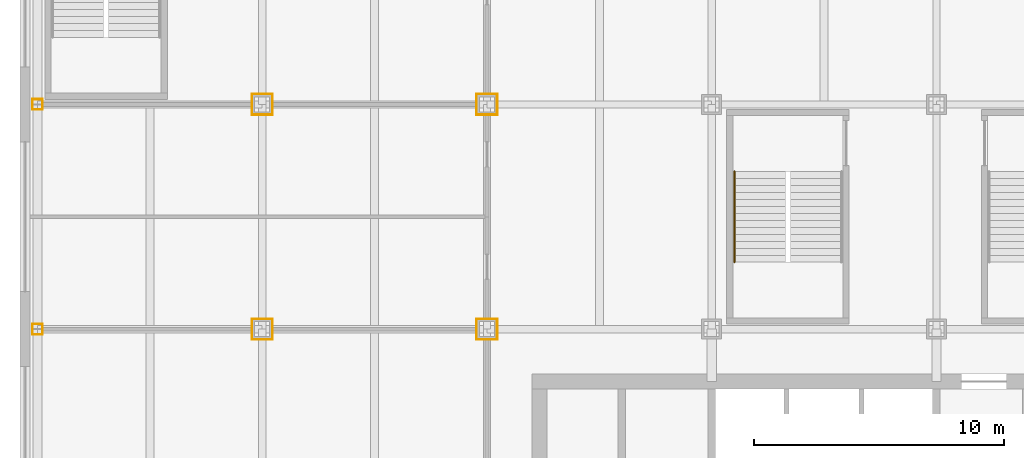
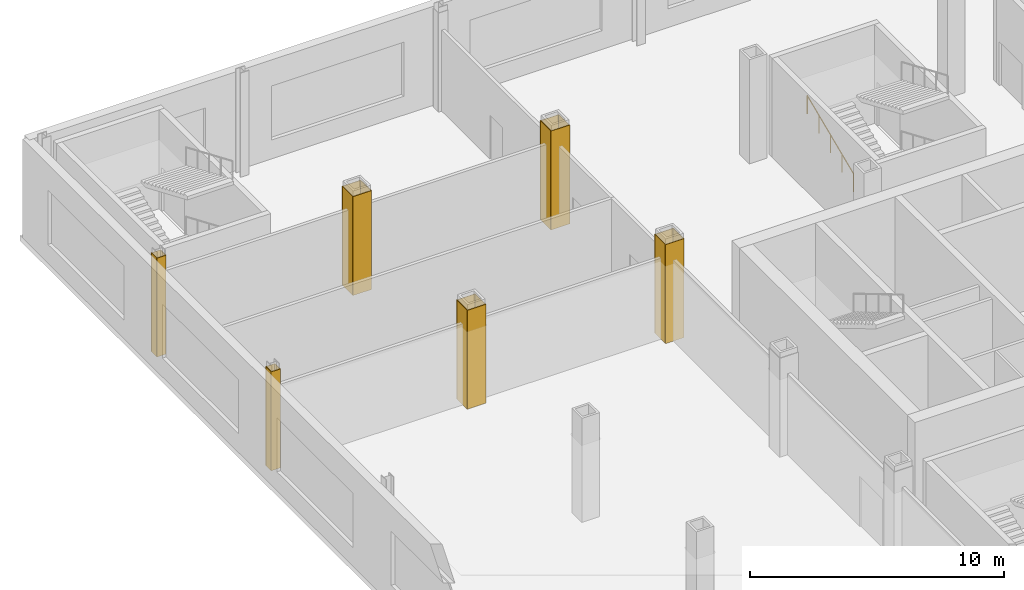
# One storey, part 23 of 28: 24 coverings, 1 railing.
"""IFC4 building model written with IfcOpenShell, lengths in metres."""

from ifc_helpers import new_model, si_unit, direction, frame, origin, origin_2d, place, context, subcontext, project, spatial, rectangle, circle, extrude, material, layer, layer_set, type_object, element, save


model = new_model("IFC4")

# Units and contexts
model_context = context("Model", 3, precision=1e-05, world=origin(), true_north=direction((0.0, 1.0)))
body_context = subcontext(model_context, "Body", "Model", "MODEL_VIEW")
ifc_project = project(units=[si_unit("LENGTHUNIT", "METRE"), si_unit("AREAUNIT", "SQUARE_METRE"), si_unit("VOLUMEUNIT", "CUBIC_METRE"), si_unit("PLANEANGLEUNIT", "RADIAN"), si_unit("MASSUNIT", "GRAM", prefix="KILO")], contexts=[model_context])

# Site, building, storey
site_placement = place(None, origin())
site = spatial("IfcSite", under=ifc_project, at=site_placement, CompositionType="ELEMENT")
building_placement = place(site_placement, origin())
building = spatial("IfcBuilding", under=site, at=building_placement, Name="Loomwork Tower", CompositionType="ELEMENT")
storey_placement = place(building_placement, frame((0.0, 0.0, 6.0)))
storey = spatial("IfcBuildingStorey", under=building, at=storey_placement, Name="L01", CompositionType="ELEMENT", Elevation=6.0)

# Coverings
ifc_material_1 = material(Name="Two-hour fire-rated gypsum board casing")
ifc_layer = layer(ifc_material_1, 0.02490234375)
ifc_layer_set = layer_set([ifc_layer], Name="Column fire casing 25")
covering_type = type_object("IfcCoveringType", Name="Column fire casing 25", PredefinedType="CLADDING", material=ifc_layer_set)
for number, where, z_axis, x_axis, name in (
    (1, (-9.0, 27.20947265625, 0.0), (0.0, 0.0, 1.0), (1.0, 0.0, 0.0), "Column casing -9 27 L01"),
    (2, (-9.0, 26.79052734375, 0.0), (0.0, 0.0, 1.0), (1.0, 0.0, 0.0), "Column casing -9 27 L01"),
):
    element("IfcCovering", number, at=place(storey_placement, frame(where, z_axis=z_axis, x_axis=x_axis)), inside=storey, type_object=covering_type, Name=name, PredefinedType="CLADDING", context=body_context, shape_type="SweptSolid", body=[
        extrude(rectangle(XDim=0.42578125, YDim=0.02490234375, at=origin_2d()), origin(), (0.0, 0.0, 1.0), 4.75),
    ])
for number, where, z_axis, x_axis, name in (
    (3, (-8.799560546875, 27.0, 0.0), (0.0, 0.0, 1.0), (1.0, 0.0, 0.0), "Column casing -9 27 L01"),
    (4, (-9.200439453125, 27.0, 0.0), (0.0, 0.0, 1.0), (1.0, 0.0, 0.0), "Column casing -9 27 L01"),
):
    element("IfcCovering", number, at=place(storey_placement, frame(where, z_axis=z_axis, x_axis=x_axis)), inside=storey, type_object=covering_type, Name=name, PredefinedType="CLADDING", context=body_context, shape_type="SweptSolid", body=[
        extrude(rectangle(XDim=0.02490234375, YDim=0.393798828125, at=origin_2d()), origin(), (0.0, 0.0, 1.0), 4.75),
    ])
for number, where, z_axis, x_axis, name in (
    (5, (-9.0, 36.20947265625, 0.0), (0.0, 0.0, 1.0), (1.0, 0.0, 0.0), "Column casing -9 36 L01"),
    (6, (-9.0, 35.79052734375, 0.0), (0.0, 0.0, 1.0), (1.0, 0.0, 0.0), "Column casing -9 36 L01"),
):
    element("IfcCovering", number, at=place(storey_placement, frame(where, z_axis=z_axis, x_axis=x_axis)), inside=storey, type_object=covering_type, Name=name, PredefinedType="CLADDING", context=body_context, shape_type="SweptSolid", body=[
        extrude(rectangle(XDim=0.42578125, YDim=0.02490234375, at=origin_2d()), origin(), (0.0, 0.0, 1.0), 4.75),
    ])
for number, where, z_axis, x_axis, name in (
    (7, (-8.799560546875, 36.0, 0.0), (0.0, 0.0, 1.0), (1.0, 0.0, 0.0), "Column casing -9 36 L01"),
    (8, (-9.200439453125, 36.0, 0.0), (0.0, 0.0, 1.0), (1.0, 0.0, 0.0), "Column casing -9 36 L01"),
):
    element("IfcCovering", number, at=place(storey_placement, frame(where, z_axis=z_axis, x_axis=x_axis)), inside=storey, type_object=covering_type, Name=name, PredefinedType="CLADDING", context=body_context, shape_type="SweptSolid", body=[
        extrude(rectangle(XDim=0.02490234375, YDim=0.393798828125, at=origin_2d()), origin(), (0.0, 0.0, 1.0), 4.75),
    ])
for number, where, z_axis, x_axis, name in (
    (9, (0.0, 27.41259765625, 0.0), (0.0, 0.0, 1.0), (1.0, 0.0, 0.0), "Column casing 0 27 L01"),
    (10, (0.0, 26.58740234375, 0.0), (0.0, 0.0, 1.0), (1.0, 0.0, 0.0), "Column casing 0 27 L01"),
):
    element("IfcCovering", number, at=place(storey_placement, frame(where, z_axis=z_axis, x_axis=x_axis)), inside=storey, type_object=covering_type, Name=name, PredefinedType="CLADDING", context=body_context, shape_type="SweptSolid", body=[
        extrude(rectangle(XDim=0.85009765625, YDim=0.02490234375, at=origin_2d()), origin(), (0.0, 0.0, 1.0), 4.75),
    ])
for number, where, z_axis, x_axis, name in (
    (11, (0.41259765625, 27.0, 0.0), (0.0, 0.0, 1.0), (1.0, 0.0, 0.0), "Column casing 0 27 L01"),
    (12, (-0.41259765625, 27.0, 0.0), (0.0, 0.0, 1.0), (1.0, 0.0, 0.0), "Column casing 0 27 L01"),
):
    element("IfcCovering", number, at=place(storey_placement, frame(where, z_axis=z_axis, x_axis=x_axis)), inside=storey, type_object=covering_type, Name=name, PredefinedType="CLADDING", context=body_context, shape_type="SweptSolid", body=[
        extrude(rectangle(XDim=0.02490234375, YDim=0.800048828125, at=origin_2d()), origin(), (0.0, 0.0, 1.0), 4.75),
    ])
for number, where, z_axis, x_axis, name in (
    (13, (0.0, 36.41259765625, 0.0), (0.0, 0.0, 1.0), (1.0, 0.0, 0.0), "Column casing 0 36 L01"),
    (14, (0.0, 35.58740234375, 0.0), (0.0, 0.0, 1.0), (1.0, 0.0, 0.0), "Column casing 0 36 L01"),
):
    element("IfcCovering", number, at=place(storey_placement, frame(where, z_axis=z_axis, x_axis=x_axis)), inside=storey, type_object=covering_type, Name=name, PredefinedType="CLADDING", context=body_context, shape_type="SweptSolid", body=[
        extrude(rectangle(XDim=0.85009765625, YDim=0.02490234375, at=origin_2d()), origin(), (0.0, 0.0, 1.0), 4.75),
    ])
for number, where, z_axis, x_axis, name in (
    (15, (0.41259765625, 36.0, 0.0), (0.0, 0.0, 1.0), (1.0, 0.0, 0.0), "Column casing 0 36 L01"),
    (16, (-0.41259765625, 36.0, 0.0), (0.0, 0.0, 1.0), (1.0, 0.0, 0.0), "Column casing 0 36 L01"),
):
    element("IfcCovering", number, at=place(storey_placement, frame(where, z_axis=z_axis, x_axis=x_axis)), inside=storey, type_object=covering_type, Name=name, PredefinedType="CLADDING", context=body_context, shape_type="SweptSolid", body=[
        extrude(rectangle(XDim=0.02490234375, YDim=0.800048828125, at=origin_2d()), origin(), (0.0, 0.0, 1.0), 4.75),
    ])
for number, where, z_axis, x_axis, name in (
    (17, (9.0, 27.41259765625, 0.0), (0.0, 0.0, 1.0), (1.0, 0.0, 0.0), "Column casing 9 27 L01"),
    (18, (9.0, 26.58740234375, 0.0), (0.0, 0.0, 1.0), (1.0, 0.0, 0.0), "Column casing 9 27 L01"),
):
    element("IfcCovering", number, at=place(storey_placement, frame(where, z_axis=z_axis, x_axis=x_axis)), inside=storey, type_object=covering_type, Name=name, PredefinedType="CLADDING", context=body_context, shape_type="SweptSolid", body=[
        extrude(rectangle(XDim=0.85009765625, YDim=0.02490234375, at=origin_2d()), origin(), (0.0, 0.0, 1.0), 4.75),
    ])
for number, where, z_axis, x_axis, name in (
    (19, (9.41259765625, 27.0, 0.0), (0.0, 0.0, 1.0), (1.0, 0.0, 0.0), "Column casing 9 27 L01"),
    (20, (8.58740234375, 27.0, 0.0), (0.0, 0.0, 1.0), (1.0, 0.0, 0.0), "Column casing 9 27 L01"),
):
    element("IfcCovering", number, at=place(storey_placement, frame(where, z_axis=z_axis, x_axis=x_axis)), inside=storey, type_object=covering_type, Name=name, PredefinedType="CLADDING", context=body_context, shape_type="SweptSolid", body=[
        extrude(rectangle(XDim=0.02490234375, YDim=0.800048828125, at=origin_2d()), origin(), (0.0, 0.0, 1.0), 4.75),
    ])
for number, where, z_axis, x_axis, name in (
    (21, (9.0, 36.41259765625, 0.0), (0.0, 0.0, 1.0), (1.0, 0.0, 0.0), "Column casing 9 36 L01"),
    (22, (9.0, 35.58740234375, 0.0), (0.0, 0.0, 1.0), (1.0, 0.0, 0.0), "Column casing 9 36 L01"),
):
    element("IfcCovering", number, at=place(storey_placement, frame(where, z_axis=z_axis, x_axis=x_axis)), inside=storey, type_object=covering_type, Name=name, PredefinedType="CLADDING", context=body_context, shape_type="SweptSolid", body=[
        extrude(rectangle(XDim=0.85009765625, YDim=0.02490234375, at=origin_2d()), origin(), (0.0, 0.0, 1.0), 4.75),
    ])
for number, where, z_axis, x_axis, name in (
    (23, (9.41259765625, 36.0, 0.0), (0.0, 0.0, 1.0), (1.0, 0.0, 0.0), "Column casing 9 36 L01"),
    (24, (8.58740234375, 36.0, 0.0), (0.0, 0.0, 1.0), (1.0, 0.0, 0.0), "Column casing 9 36 L01"),
):
    element("IfcCovering", number, at=place(storey_placement, frame(where, z_axis=z_axis, x_axis=x_axis)), inside=storey, type_object=covering_type, Name=name, PredefinedType="CLADDING", context=body_context, shape_type="SweptSolid", body=[
        extrude(rectangle(XDim=0.02490234375, YDim=0.800048828125, at=origin_2d()), origin(), (0.0, 0.0, 1.0), 4.75),
    ])

# Railing
ifc_material_2 = material(Name="Stainless steel handrail", Category="steel")
railing_type = type_object("IfcRailingType", Name="Handrail 900", PredefinedType="HANDRAIL", material=ifc_material_2)
railing_placement = place(storey_placement, frame((18.909912109375, 29.679931640625, 1.78564453125)))
element("IfcRailing", 25, at=railing_placement, inside=storey, type_object=railing_type, Name="Podium stair PS10 handrail flight 2 L01", PredefinedType="HANDRAIL", context=body_context, shape_type="SweptSolid", body=[
    extrude(circle(Radius=0.02392578125, at=origin_2d()), frame((0.0, 0.0, 0.8759765625), z_axis=(0.0, 0.920258693564, 0.391310537706), x_axis=(-1.0, 0.0, 0.0)), (0.0, 0.0, 1.0), 3.95556640625),
    extrude(circle(Radius=0.02099609375, at=origin_2d()), origin(), (0.0, 0.0, 1.0), 0.851806640625),
    extrude(circle(Radius=0.02099609375, at=origin_2d()), frame((0.0, 0.91015625, 0.386962890625)), (0.0, 0.0, 1.0), 0.851806640625),
    extrude(circle(Radius=0.02099609375, at=origin_2d()), frame((0.0, 1.820068359375, 0.77392578125)), (0.0, 0.0, 1.0), 0.851806640625),
    extrude(circle(Radius=0.02099609375, at=origin_2d()), frame((0.0, 2.72998046875, 1.160888671875)), (0.0, 0.0, 1.0), 0.851806640625),
    extrude(circle(Radius=0.02099609375, at=origin_2d()), frame((0.0, 3.64013671875, 1.5478515625)), (0.0, 0.0, 1.0), 0.851806640625),
])

save(model, "model.ifc")
